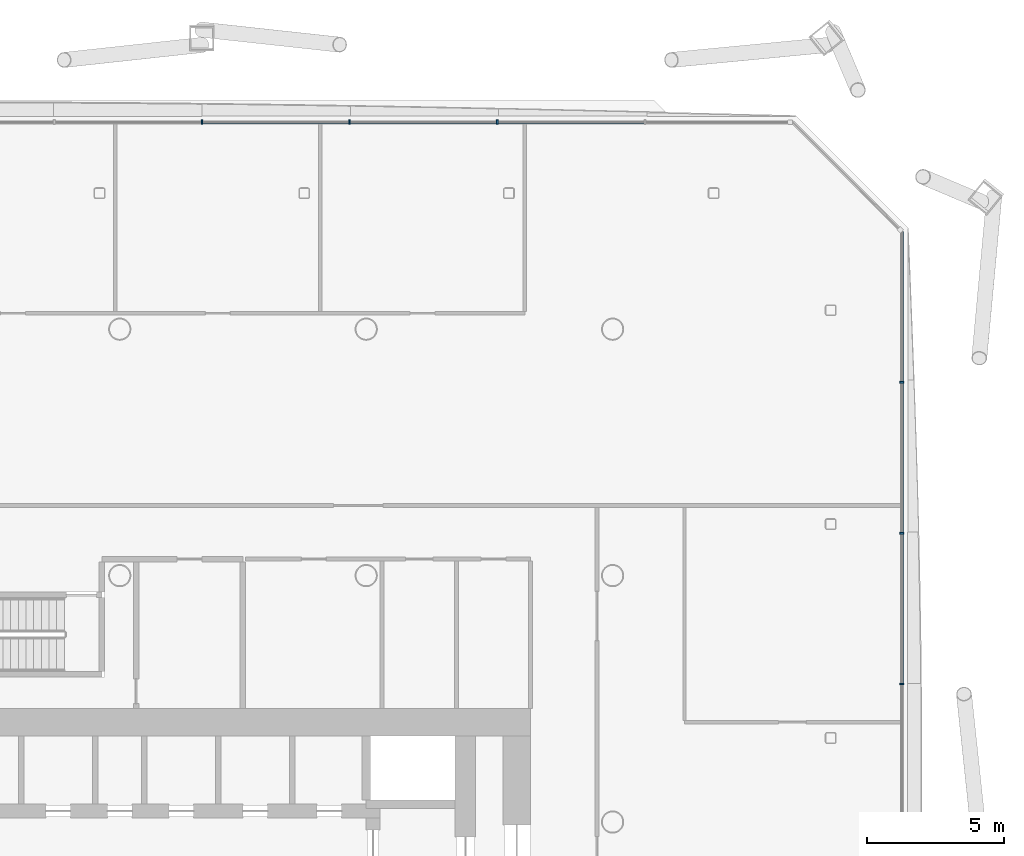
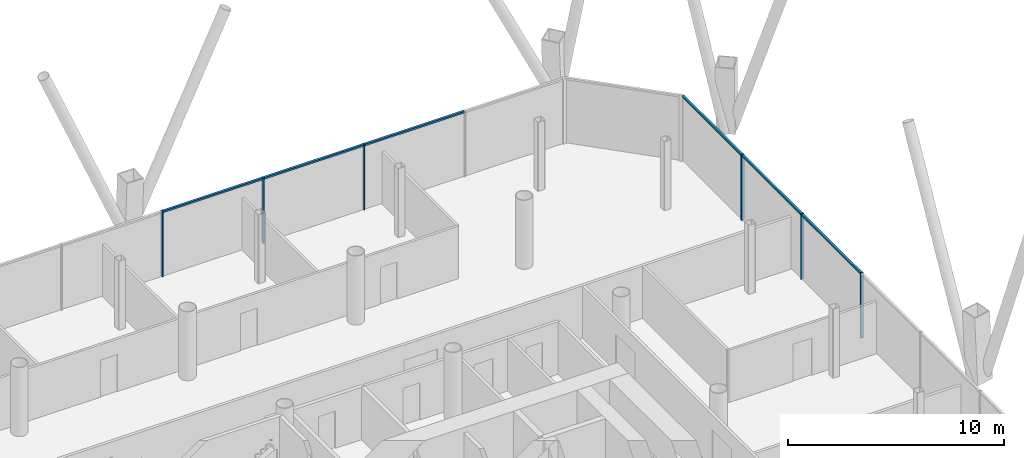
# One storey, part 10 of 23: 12 members, 2 elements without a shape of their own.
"""IFC4 building model written with IfcOpenShell, lengths in metres."""

from ifc_helpers import new_model, si_unit, direction, frame, origin, origin_2d, place, context, subcontext, project, spatial, rectangle, extrude, material, material_profile, profile_set, type_object, element, aggregate, save


model = new_model("IFC4")

# Units and contexts
model_context = context("Model", 3, precision=1e-05, world=origin(), true_north=direction((0.0, 1.0)))
body_context = subcontext(model_context, "Body", "Model", "MODEL_VIEW")
ifc_project = project(units=[si_unit("LENGTHUNIT", "METRE"), si_unit("AREAUNIT", "SQUARE_METRE"), si_unit("VOLUMEUNIT", "CUBIC_METRE"), si_unit("PLANEANGLEUNIT", "RADIAN"), si_unit("MASSUNIT", "GRAM", prefix="KILO")], contexts=[model_context])

# Site, building, storey
site_placement = place(None, origin())
site = spatial("IfcSite", under=ifc_project, at=site_placement, CompositionType="ELEMENT")
building_placement = place(site_placement, origin())
building = spatial("IfcBuilding", under=site, at=building_placement, Name="Tskaro Facet Tower", CompositionType="ELEMENT")
storey_placement = place(building_placement, frame((0.0, 0.0, 62.10009765625)))
storey = spatial("IfcBuildingStorey", under=building, at=storey_placement, Name="L14", CompositionType="ELEMENT", Elevation=62.10009765625)

# Curtain wall, members
ifc_material = material(Name="Bronze anodised aluminium 6063-T6", Category="aluminium")
curtain_wall_type = type_object("IfcCurtainWallType", Name="Bronze office curtain wall (FW1)", PredefinedType="NOTDEFINED", material=ifc_material)
curtain_wall_1_placement = place(storey_placement, origin())
curtain_wall_1 = element("IfcCurtainWall", 1, at=curtain_wall_1_placement, inside=storey, type_object=curtain_wall_type, Name="FW1 east facet L14", PredefinedType="NOTDEFINED")
ifc_material_profile_1 = material_profile(ifc_material, rectangle(XDim=0.06005859375, YDim=0.159912109375, at=origin_2d()), Name="Mullion 60x160")
ifc_profile_set_1 = profile_set([ifc_material_profile_1], Name="Bronze anodised aluminium 6063-T6")
member_type_1 = type_object("IfcMemberType", Name="FW1 bronze mullion 60x160", PredefinedType="MULLION", material=ifc_profile_set_1)
member_1_placement = place(storey_placement, frame((28.55908203125, 5.03466796875, 0.0), z_axis=(0.0, 0.0, 1.0), x_axis=(0.0, 1.0, 0.0)))
member_1 = element("IfcMember", 2, at=member_1_placement, type_object=member_type_1, Name="FW1 east mullion 5", PredefinedType="MULLION", context=body_context, shape_type="SweptSolid", body=[
    extrude(rectangle(XDim=0.06005859375, YDim=0.159912109375, at=origin_2d()), origin(), (0.0, 0.0, 1.0), 3.699951171875),
])
member_2_placement = place(storey_placement, frame((28.55908203125, 10.5478515625, 0.0), z_axis=(0.0, 0.0, 1.0), x_axis=(0.0, 1.0, 0.0)))
member_2 = element("IfcMember", 3, at=member_2_placement, type_object=member_type_1, Name="FW1 east mullion 6", PredefinedType="MULLION", context=body_context, shape_type="SweptSolid", body=[
    extrude(rectangle(XDim=0.06005859375, YDim=0.159912109375, at=origin_2d()), origin(), (0.0, 0.0, 1.0), 3.699951171875),
])
member_3_placement = place(storey_placement, frame((28.55908203125, 16.060791015625, 0.0), z_axis=(0.0, 0.0, 1.0), x_axis=(0.0, 1.0, 0.0)))
member_3 = element("IfcMember", 4, at=member_3_placement, type_object=member_type_1, Name="FW1 east mullion 7", PredefinedType="MULLION", context=body_context, shape_type="SweptSolid", body=[
    extrude(rectangle(XDim=0.06005859375, YDim=0.159912109375, at=origin_2d()), origin(), (0.0, 0.0, 1.0), 3.699951171875),
])

curtain_wall_2_placement = place(storey_placement, origin())
curtain_wall_2 = element("IfcCurtainWall", 5, at=curtain_wall_2_placement, inside=storey, type_object=curtain_wall_type, Name="FW1 north facet L14", PredefinedType="NOTDEFINED")
member_4_placement = place(storey_placement, frame((13.787109375, 25.55908203125, 0.0), z_axis=(0.0, 0.0, 1.0), x_axis=(-1.0, 0.0, 0.0)))
member_4 = element("IfcMember", 6, at=member_4_placement, type_object=member_type_1, Name="FW1 north mullion 2", PredefinedType="MULLION", context=body_context, shape_type="SweptSolid", body=[
    extrude(rectangle(XDim=0.06005859375, YDim=0.159912109375, at=origin_2d()), origin(), (0.0, 0.0, 1.0), 3.699951171875),
])
member_5_placement = place(storey_placement, frame((8.3935546875, 25.55908203125, 0.0), z_axis=(0.0, 0.0, 1.0), x_axis=(-1.0, 0.0, 0.0)))
member_5 = element("IfcMember", 7, at=member_5_placement, type_object=member_type_1, Name="FW1 north mullion 3", PredefinedType="MULLION", context=body_context, shape_type="SweptSolid", body=[
    extrude(rectangle(XDim=0.06005859375, YDim=0.159912109375, at=origin_2d()), origin(), (0.0, 0.0, 1.0), 3.699951171875),
])
member_6_placement = place(storey_placement, frame((3.0, 25.55908203125, 0.0), z_axis=(0.0, 0.0, 1.0), x_axis=(-1.0, 0.0, 0.0)))
member_6 = element("IfcMember", 8, at=member_6_placement, type_object=member_type_1, Name="FW1 north mullion 4", PredefinedType="MULLION", context=body_context, shape_type="SweptSolid", body=[
    extrude(rectangle(XDim=0.06005859375, YDim=0.159912109375, at=origin_2d()), origin(), (0.0, 0.0, 1.0), 3.699951171875),
])

# Member
ifc_material_profile_2 = material_profile(ifc_material, rectangle(XDim=0.1201171875, YDim=0.10009765625, at=origin_2d()), Name="Transom 120x100")
ifc_profile_set_2 = profile_set([ifc_material_profile_2], Name="Bronze anodised aluminium 6063-T6")
member_type_2 = type_object("IfcMemberType", Name="FW1 bronze transom 120x100", PredefinedType="USERDEFINED", material=ifc_profile_set_2)
member_7_placement = place(storey_placement, frame((28.55908203125, 5.064697265625, 3.64990234375), z_axis=(0.0, 1.0, 0.0), x_axis=(-1.0, 0.0, 0.0)))
member_7 = element("IfcMember", 9, at=member_7_placement, type_object=member_type_2, Name="FW1 east transom 6.1", ObjectType="TRANSOM", PredefinedType="USERDEFINED", context=body_context, shape_type="SweptSolid", body=[
    extrude(rectangle(XDim=0.1201171875, YDim=0.10009765625, at=origin_2d()), origin(), (0.0, 0.0, 1.0), 5.453125),
])

member_8_placement = place(storey_placement, frame((28.55908203125, 10.57763671875, 3.64990234375), z_axis=(0.0, 1.0, 0.0), x_axis=(-1.0, 0.0, 0.0)))
member_8 = element("IfcMember", 10, at=member_8_placement, type_object=member_type_2, Name="FW1 east transom 7.1", ObjectType="TRANSOM", PredefinedType="USERDEFINED", context=body_context, shape_type="SweptSolid", body=[
    extrude(rectangle(XDim=0.1201171875, YDim=0.10009765625, at=origin_2d()), origin(), (0.0, 0.0, 1.0), 5.453125),
])

member_9_placement = place(storey_placement, frame((28.55908203125, 16.0908203125, 3.64990234375), z_axis=(0.0, 1.0, 0.0), x_axis=(-1.0, 0.0, 0.0)))
member_9 = element("IfcMember", 11, at=member_9_placement, type_object=member_type_2, Name="FW1 east transom 8.1", ObjectType="TRANSOM", PredefinedType="USERDEFINED", context=body_context, shape_type="SweptSolid", body=[
    extrude(rectangle(XDim=0.1201171875, YDim=0.10009765625, at=origin_2d()), origin(), (0.0, 0.0, 1.0), 5.483154296875),
])

aggregate(curtain_wall_1, [member_1, member_2, member_3, member_7, member_8, member_9])

member_10_placement = place(storey_placement, frame((19.150390625, 25.55908203125, 3.64990234375), z_axis=(-1.0, 0.0, 0.0), x_axis=(0.0, -1.0, 0.0)))
member_10 = element("IfcMember", 12, at=member_10_placement, type_object=member_type_2, Name="FW1 north transom 2.1", ObjectType="TRANSOM", PredefinedType="USERDEFINED", context=body_context, shape_type="SweptSolid", body=[
    extrude(rectangle(XDim=0.1201171875, YDim=0.10009765625, at=origin_2d()), origin(), (0.0, 0.0, 1.0), 5.33349609375),
])

member_11_placement = place(storey_placement, frame((13.757080078125, 25.55908203125, 3.64990234375), z_axis=(-1.0, 0.0, 0.0), x_axis=(0.0, -1.0, 0.0)))
member_11 = element("IfcMember", 13, at=member_11_placement, type_object=member_type_2, Name="FW1 north transom 3.1", ObjectType="TRANSOM", PredefinedType="USERDEFINED", context=body_context, shape_type="SweptSolid", body=[
    extrude(rectangle(XDim=0.1201171875, YDim=0.10009765625, at=origin_2d()), origin(), (0.0, 0.0, 1.0), 5.33349609375),
])

member_12_placement = place(storey_placement, frame((8.363525390625, 25.55908203125, 3.64990234375), z_axis=(-1.0, 0.0, 0.0), x_axis=(0.0, -1.0, 0.0)))
member_12 = element("IfcMember", 14, at=member_12_placement, type_object=member_type_2, Name="FW1 north transom 4.1", ObjectType="TRANSOM", PredefinedType="USERDEFINED", context=body_context, shape_type="SweptSolid", body=[
    extrude(rectangle(XDim=0.1201171875, YDim=0.10009765625, at=origin_2d()), origin(), (0.0, 0.0, 1.0), 5.33349609375),
])

aggregate(curtain_wall_2, [member_4, member_5, member_6, member_10, member_11, member_12])

save(model, "model.ifc")
